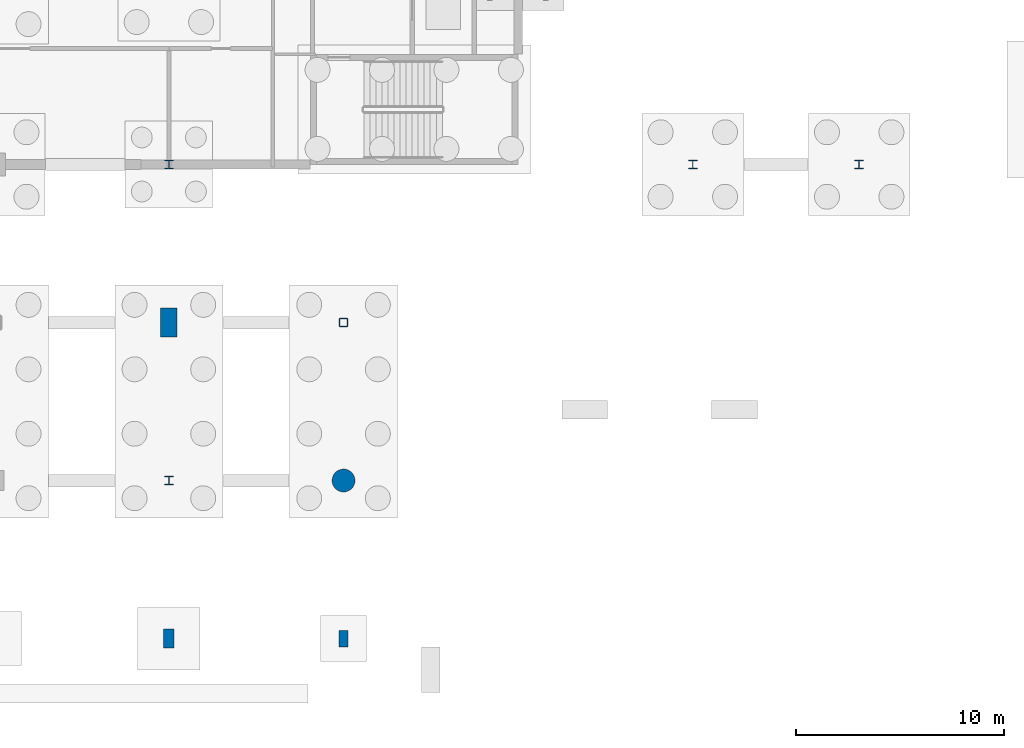
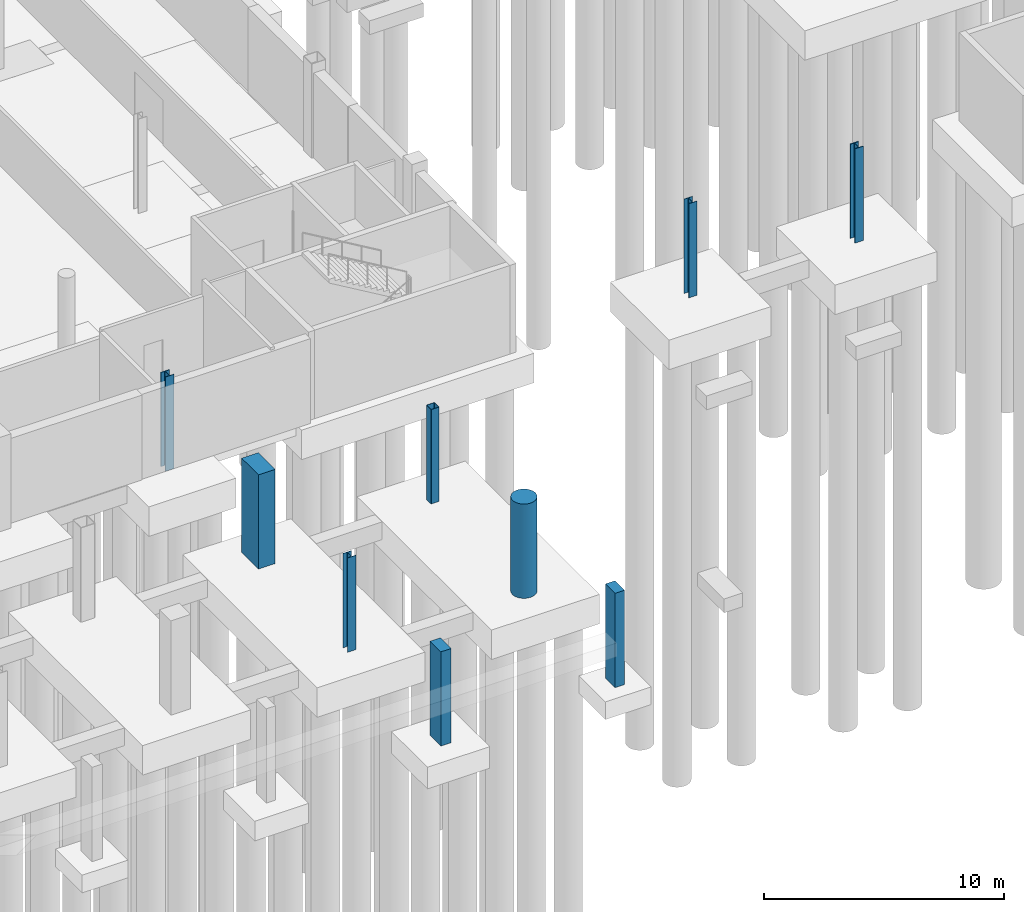
# One storey, part 9 of 34: 9 columns.
"""IFC4 building model written with IfcOpenShell, lengths in metres."""

from ifc_helpers import new_model, si_unit, direction, frame, origin, origin_2d, place, context, subcontext, project, spatial, rectangle, hollow_rectangle, circle, i_section, extrude, material, material_profile, profile_set, type_object, element, save


model = new_model("IFC4")

# Units and contexts
model_context = context("Model", 3, precision=1e-05, world=origin(), true_north=direction((0.0, 1.0)))
body_context = subcontext(model_context, "Body", "Model", "MODEL_VIEW")
ifc_project = project(units=[si_unit("LENGTHUNIT", "METRE"), si_unit("AREAUNIT", "SQUARE_METRE"), si_unit("VOLUMEUNIT", "CUBIC_METRE"), si_unit("PLANEANGLEUNIT", "RADIAN"), si_unit("MASSUNIT", "GRAM", prefix="KILO")], contexts=[model_context])

# Site, building, storey
site_placement = place(None, origin())
site = spatial("IfcSite", under=ifc_project, at=site_placement, CompositionType="ELEMENT")
building_placement = place(site_placement, origin())
building = spatial("IfcBuilding", under=site, at=building_placement, Name="Larkvane Passage Sports Hall", CompositionType="ELEMENT")
storey_placement = place(building_placement, frame((0.0, 0.0, -4.800048828125)))
storey = spatial("IfcBuildingStorey", under=building, at=storey_placement, Name="B01", CompositionType="ELEMENT", Elevation=-4.800048828125)

# Columns
ifc_material_1 = material(Name="Concrete C50/60", Category="concrete")
ifc_material_profile_1 = material_profile(ifc_material_1, circle(Radius=0.550048828125, at=origin_2d()), Name="RC-CIR-1100")
ifc_profile_set_1 = profile_set([ifc_material_profile_1], Name="Concrete C50/60")
column_type_1 = type_object("IfcColumnType", Name="COL-CIR-1100", PredefinedType="COLUMN", material=ifc_profile_set_1)
column_1_placement = place(storey_placement, frame((85.199951171875, 7.60009765625, 0.0), z_axis=(0.0, 0.0, 1.0), x_axis=(1.0, 0.0, 0.0)))
element("IfcColumn", 1, at=column_1_placement, inside=storey, type_object=column_type_1, Name="Column 12/B B01", PredefinedType="COLUMN", context=body_context, shape_type="SweptSolid", body=[
    extrude(circle(Radius=0.550048828125, at=origin_2d()), origin(), (0.0, 0.0, 1.0), 4.800048828125),
])
ifc_material_profile_2 = material_profile(ifc_material_1, rectangle(XDim=0.800048828125, YDim=1.39990234375, at=origin_2d()), Name="RC-COL-800x1400")
ifc_profile_set_2 = profile_set([ifc_material_profile_2], Name="Concrete C50/60")
column_type_2 = type_object("IfcColumnType", Name="COL-RC-800x1400", PredefinedType="COLUMN", material=ifc_profile_set_2)
column_2_placement = place(storey_placement, frame((76.800048828125, 15.199951171875, 0.0), z_axis=(0.0, 0.0, 1.0), x_axis=(1.0, 0.0, 0.0)))
element("IfcColumn", 2, at=column_2_placement, inside=storey, type_object=column_type_2, Name="Column 11/C B01", PredefinedType="COLUMN", context=body_context, shape_type="SweptSolid", body=[
    extrude(rectangle(XDim=0.800048828125, YDim=1.39990234375, at=origin_2d()), origin(), (0.0, 0.0, 1.0), 4.800048828125),
])
ifc_material_2 = material(Name="Steel S355JR", Category="steel")
ifc_material_profile_3 = material_profile(ifc_material_2, i_section(OverallWidth=0.39990234375, OverallDepth=0.39990234375, WebThickness=0.012939453125, FlangeThickness=0.02099609375, FilletRadius=0.02197265625, at=origin_2d()), Name="H-400x400x13x21")
ifc_profile_set_3 = profile_set([ifc_material_profile_3], Name="Steel S355JR")
column_type_3 = type_object("IfcColumnType", Name="COL-STL-H400", PredefinedType="COLUMN", material=ifc_profile_set_3)
for number, where, z_axis, x_axis, name in (
    (3, (76.800048828125, 7.60009765625, 0.0), (0.0, 0.0, 1.0), (1.0, 0.0, 0.0), "Column 11/B B01"),
    (4, (102.0, 22.800048828125, 0.0), (0.0, 0.0, 1.0), (1.0, 0.0, 0.0), "Column 14/D B01"),
):
    element("IfcColumn", number, at=place(storey_placement, frame(where, z_axis=z_axis, x_axis=x_axis)), inside=storey, type_object=column_type_3, Name=name, PredefinedType="COLUMN", context=body_context, shape_type="SweptSolid", body=[
        extrude(i_section(OverallWidth=0.39990234375, OverallDepth=0.39990234375, WebThickness=0.012939453125, FlangeThickness=0.02099609375, FilletRadius=0.02197265625, at=origin_2d()), origin(), (0.0, 0.0, 1.0), 4.800048828125),
    ])
ifc_material_3 = material(Name="Steel S460N", Category="steel")
ifc_material_profile_4 = material_profile(ifc_material_3, i_section(OverallWidth=0.405029296875, OverallDepth=0.4140625, WebThickness=0.01806640625, FlangeThickness=0.028076171875, FilletRadius=0.02197265625, at=origin_2d()), Name="H-414x405x18x28")
ifc_profile_set_4 = profile_set([ifc_material_profile_4], Name="Steel S460N")
column_type_4 = type_object("IfcColumnType", Name="COL-STL-H414", PredefinedType="COLUMN", material=ifc_profile_set_4)
column_3_placement = place(storey_placement, frame((76.800048828125, 22.800048828125, 0.0), z_axis=(0.0, 0.0, 1.0), x_axis=(1.0, 0.0, 0.0)))
element("IfcColumn", 5, at=column_3_placement, inside=storey, type_object=column_type_4, Name="Column 11/D B01", PredefinedType="COLUMN", context=body_context, shape_type="SweptSolid", body=[
    extrude(i_section(OverallWidth=0.405029296875, OverallDepth=0.4140625, WebThickness=0.01806640625, FlangeThickness=0.028076171875, FilletRadius=0.02197265625, at=origin_2d()), origin(), (0.0, 0.0, 1.0), 4.800048828125),
])
ifc_material_profile_5 = material_profile(ifc_material_3, i_section(OverallWidth=0.406982421875, OverallDepth=0.427978515625, WebThickness=0.02001953125, FlangeThickness=0.034912109375, FilletRadius=0.02197265625, at=origin_2d()), Name="H-428x407x20x35")
ifc_profile_set_5 = profile_set([ifc_material_profile_5], Name="Steel S460N")
column_type_5 = type_object("IfcColumnType", Name="COL-STL-H428", PredefinedType="COLUMN", material=ifc_profile_set_5)
column_4_placement = place(storey_placement, frame((110.0, 22.800048828125, 0.0), z_axis=(0.0, 0.0, 1.0), x_axis=(1.0, 0.0, 0.0)))
element("IfcColumn", 6, at=column_4_placement, inside=storey, type_object=column_type_5, Name="Column 15/D B01", PredefinedType="COLUMN", context=body_context, shape_type="SweptSolid", body=[
    extrude(i_section(OverallWidth=0.406982421875, OverallDepth=0.427978515625, WebThickness=0.02001953125, FlangeThickness=0.034912109375, FilletRadius=0.02197265625, at=origin_2d()), origin(), (0.0, 0.0, 1.0), 4.800048828125),
])
ifc_material_profile_6 = material_profile(ifc_material_3, hollow_rectangle(XDim=0.39990234375, YDim=0.39990234375, WallThickness=0.01904296875, InnerFilletRadius=0.01904296875, OuterFilletRadius=0.0380859375, at=origin_2d()), Name="SHS-400x400x19")
ifc_profile_set_6 = profile_set([ifc_material_profile_6], Name="Steel S460N")
column_type_6 = type_object("IfcColumnType", Name="COL-STL-SHS400", PredefinedType="COLUMN", material=ifc_profile_set_6)
column_5_placement = place(storey_placement, frame((85.199951171875, 15.199951171875, 0.0), z_axis=(0.0, 0.0, 1.0), x_axis=(1.0, 0.0, 0.0)))
element("IfcColumn", 7, at=column_5_placement, inside=storey, type_object=column_type_6, Name="Column 12/C B01", PredefinedType="COLUMN", context=body_context, shape_type="SweptSolid", body=[
    extrude(hollow_rectangle(XDim=0.39990234375, YDim=0.39990234375, WallThickness=0.01904296875, InnerFilletRadius=0.01904296875, OuterFilletRadius=0.0380859375, at=origin_2d()), origin(), (0.0, 0.0, 1.0), 4.800048828125),
])
ifc_material_4 = material(Name="Concrete C40/50", Category="concrete")
ifc_material_profile_7 = material_profile(ifc_material_4, rectangle(XDim=0.449951171875, YDim=0.800048828125, at=origin_2d()), Name="RC-PIL-450x800")
ifc_profile_set_7 = profile_set([ifc_material_profile_7], Name="Concrete C40/50")
column_type_7 = type_object("IfcColumnType", Name="PIL-RC-450x800", PredefinedType="PILASTER", material=ifc_profile_set_7)
column_6_placement = place(storey_placement, frame((85.199951171875, 0.0, 0.0), z_axis=(0.0, 0.0, 1.0), x_axis=(1.0, 0.0, 0.0)))
element("IfcColumn", 8, at=column_6_placement, inside=storey, type_object=column_type_7, Name="Arcade pilaster 12/A B01", PredefinedType="PILASTER", context=body_context, shape_type="SweptSolid", body=[
    extrude(rectangle(XDim=0.449951171875, YDim=0.800048828125, at=origin_2d()), origin(), (0.0, 0.0, 1.0), 4.800048828125),
])
ifc_material_profile_8 = material_profile(ifc_material_4, rectangle(XDim=0.5, YDim=0.89990234375, at=origin_2d()), Name="RC-PIL-500x900")
ifc_profile_set_8 = profile_set([ifc_material_profile_8], Name="Concrete C40/50")
column_type_8 = type_object("IfcColumnType", Name="PIL-RC-500x900", PredefinedType="PILASTER", material=ifc_profile_set_8)
column_7_placement = place(storey_placement, frame((76.800048828125, 0.0, 0.0), z_axis=(0.0, 0.0, 1.0), x_axis=(1.0, 0.0, 0.0)))
element("IfcColumn", 9, at=column_7_placement, inside=storey, type_object=column_type_8, Name="Arcade pilaster 11/A B01", PredefinedType="PILASTER", context=body_context, shape_type="SweptSolid", body=[
    extrude(rectangle(XDim=0.5, YDim=0.89990234375, at=origin_2d()), origin(), (0.0, 0.0, 1.0), 4.800048828125),
])

save(model, "model.ifc")
